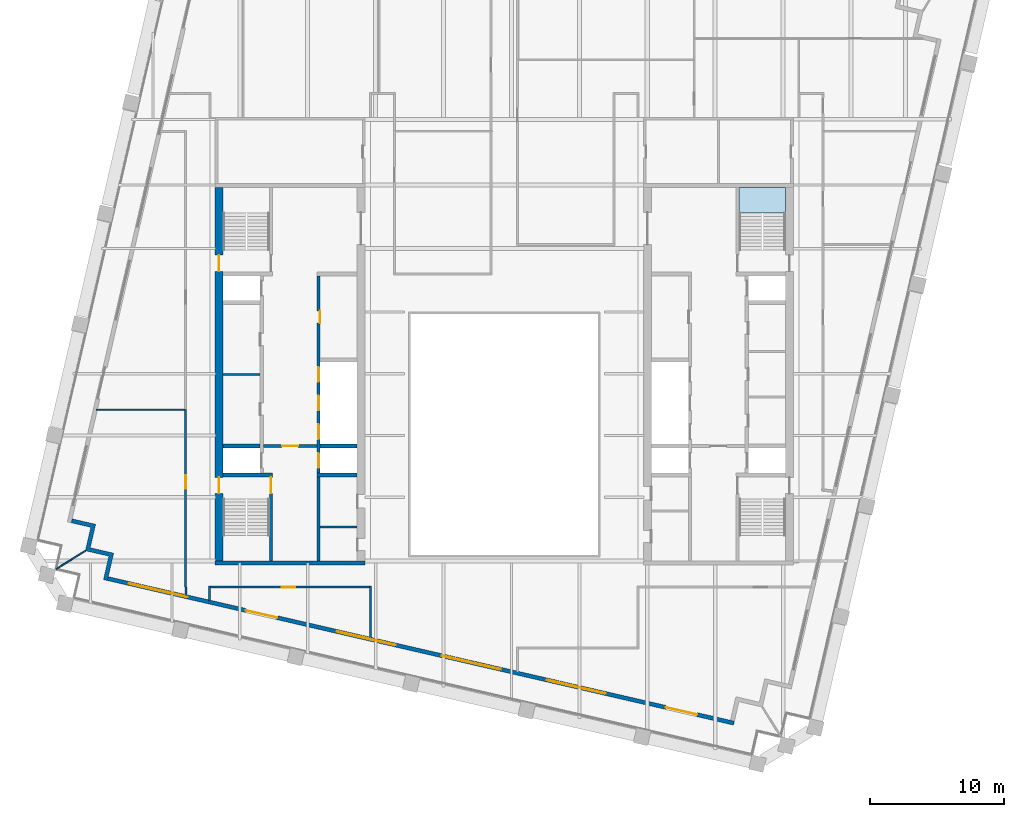
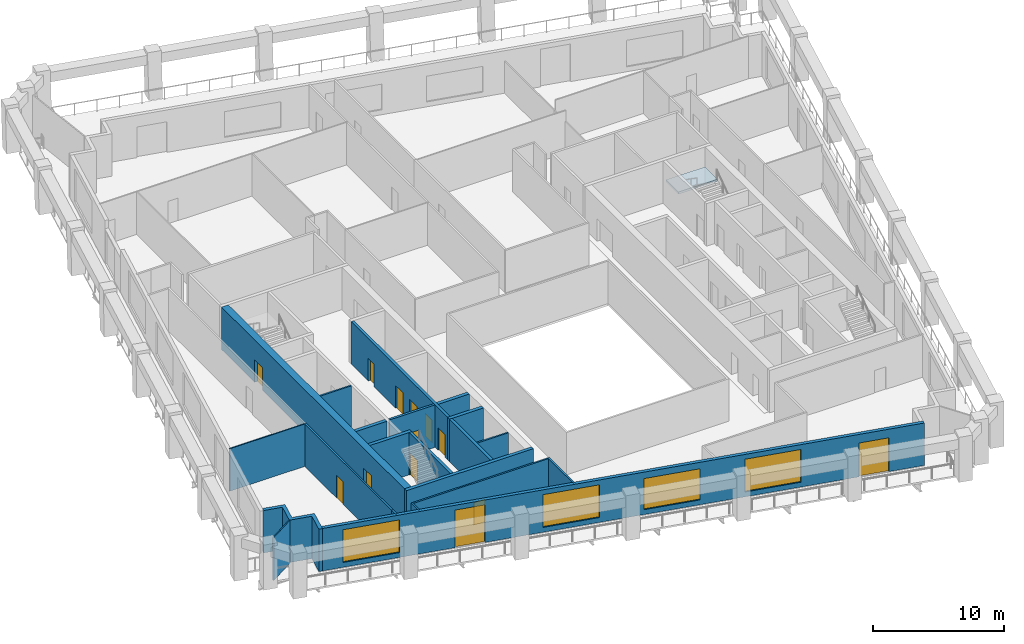
# One storey, part 3 of 10: 20 walls, 13 doors, 4 windows, 1 slab, 17 openings, 1 element without a shape of its own.
"""IFC4 building model written with IfcOpenShell, lengths in metres."""

from ifc_helpers import new_model, si_unit, direction, frame, frame_2d, origin, place, context, subcontext, project, spatial, polyline, rectangle, outline, extrude, material, layer, layer_set, type_object, element, fill, aggregate, save


model = new_model("IFC4")

# Units and contexts
model_context = context("Model", 3, precision=1e-05, world=origin(), true_north=direction((0.0, 1.0)))
body_context = subcontext(model_context, "Body", "Model", "MODEL_VIEW")
ifc_project = project(units=[si_unit("LENGTHUNIT", "METRE"), si_unit("AREAUNIT", "SQUARE_METRE"), si_unit("VOLUMEUNIT", "CUBIC_METRE"), si_unit("PLANEANGLEUNIT", "RADIAN"), si_unit("MASSUNIT", "GRAM", prefix="KILO")], contexts=[model_context])

# Site, building, storey
site_placement = place(None, origin())
site = spatial("IfcSite", under=ifc_project, at=site_placement, CompositionType="ELEMENT")
building_placement = place(site_placement, origin())
building = spatial("IfcBuilding", under=site, at=building_placement, Name="Ogive Exchange Tower", CompositionType="ELEMENT")
storey_placement = place(building_placement, frame((0.0, 0.0, 289.199951171875)))
storey = spatial("IfcBuildingStorey", under=building, at=storey_placement, Name="L63", CompositionType="ELEMENT", Elevation=289.199951171875)

# Stair, slab
ifc_material_1 = material(Name="Concrete C40/50", Category="concrete")
stair_type = type_object("IfcStairType", Name="Exit stair 1650 wide", PredefinedType="HALF_TURN_STAIR", material=ifc_material_1)
stair_placement = place(storey_placement, origin())
stair = element("IfcStair", 1, at=stair_placement, inside=storey, type_object=stair_type, Name="L63 exit stair ST4", PredefinedType="HALF_TURN_STAIR")
ifc_layer_1 = layer(ifc_material_1, 0.199951171875)
ifc_layer_set_1 = layer_set([ifc_layer_1], Name="Stair landing 200 slab")
slab_type = type_object("IfcSlabType", Name="Stair landing 200 slab", PredefinedType="LANDING", material=ifc_layer_set_1)
slab_placement = place(storey_placement, frame((0.0, 0.0, 1.900146484375)))
slab = element("IfcSlab", 2, at=slab_placement, type_object=slab_type, Name="ST4 landing 1", PredefinedType="LANDING", context=body_context, shape_type="SweptSolid", body=[
    extrude(outline(polyline([(21.0, 23.550048828125), (21.0, 25.449951171875), (17.550048828125, 25.449951171875), (17.550048828125, 23.550048828125), (21.0, 23.550048828125)])), origin(), (0.0, 0.0, 1.0), 0.199951171875),
])
aggregate(stair, [slab])

# Walls
ifc_material_2 = material(Name="Gypsum board partition")
ifc_layer_2 = layer(ifc_material_2, 0.14990234375)
ifc_layer_set_2 = layer_set([ifc_layer_2], Name="Core room partition 150 gypsum")
wall_type_1 = type_object("IfcWallType", Name="Core room partition 150 gypsum", PredefinedType="PARTITIONING", material=ifc_layer_set_2)
for number, where, z_axis, x_axis, name in (
    (3, (-21.0, 11.5, 0.0), (0.0, 0.0, 1.0), (1.0, 0.0, 0.0), "W row A bay partition 1-1"),
    (4, (-13.75, 0.10009765625, 0.0), (0.0, 0.0, 1.0), (1.0, 0.0, 0.0), "W south room partition"),
):
    element("IfcWall", number, at=place(storey_placement, frame(where, z_axis=z_axis, x_axis=x_axis)), inside=storey, type_object=wall_type_1, Name=name, PredefinedType="PARTITIONING", context=body_context, shape_type="SweptSolid", body=[
        extrude(rectangle(XDim=2.75, YDim=0.14990234375, at=frame_2d((1.375, 0.0))), origin(), (0.0, 0.0, 1.0), 3.949951171875),
    ])

# Wall, opening, door
ifc_material_3 = material(Name="Fire partition EI 60 150")
ifc_layer_3 = layer(ifc_material_3, 0.14990234375)
ifc_layer_set_3 = layer_set([ifc_layer_3], Name="Fire partition EI 60 150")
wall_type_2 = type_object("IfcWallType", Name="Fire partition EI 60 150", PredefinedType="PARTITIONING", material=ifc_layer_set_3)
wall_1_placement = place(storey_placement, frame((-23.800048828125, -4.39990234375, 0.0), z_axis=(0.0, 0.0, 1.0), x_axis=(0.0, 1.0, 0.0)))
wall_1 = element("IfcWall", 5, at=wall_1_placement, inside=storey, type_object=wall_type_2, Name="L63-PWL-002", PredefinedType="PARTITIONING", context=body_context, shape_type="SweptSolid", body=[
    extrude(rectangle(XDim=13.260009765625, YDim=0.14990234375, at=frame_2d((6.6298828125, 0.0))), origin(), (0.0, 0.0, 1.0), 3.949951171875),
])
opening_1_placement = place(wall_1_placement, frame((7.360107421875, 0.0, 0.0)))
opening_1 = element("IfcOpeningElement", 6, at=opening_1_placement, cuts=wall_1, Name="Opening L63-I16", PredefinedType="OPENING", context=body_context, shape_type="SweptSolid", body=[
    extrude(rectangle(XDim=1.0, YDim=2.10009765625, at=frame_2d((0.5, 1.050048828125))), frame((0.0, 0.0849609375, 0.0), z_axis=(0.0, -1.0, 0.0), x_axis=(1.0, 0.0, 0.0)), (0.0, 0.0, 1.0), 0.169921875),
])
ifc_material_4 = material(Name="Fire door FD 30S 1000 x 2100")
door_type_1 = type_object("IfcDoorType", Name="Fire door FD 30S 1000 x 2100", OperationType="NOTDEFINED", PredefinedType="DOOR", material=ifc_material_4)
door_1_placement = place(opening_1_placement, origin())
door_1 = element("IfcDoor", 7, at=door_1_placement, inside=storey, type_object=door_type_1, Name="L63-IDR-016", ObjectType="DT3", OperationType="SINGLE_SWING_RIGHT", OverallHeight=2.10009765625, OverallWidth=1.0, PredefinedType="DOOR", context=body_context, shape_type="SweptSolid", body=[
    extrude(rectangle(XDim=1.0, YDim=2.10009765625, at=frame_2d((0.5, 1.050048828125))), frame((0.0, 0.02490234375, 0.0), z_axis=(0.0, -1.0, 0.0), x_axis=(1.0, 0.0, 0.0)), (0.0, 0.0, 1.0), 0.050048828125),
])
fill(opening_1, door_1)

# Walls
wall_2_placement = place(storey_placement, frame((-23.7900390625, -5.031982421875, 0.0), z_axis=(0.0, 0.0, 1.0), x_axis=(0.0, 1.0, 0.0)))
element("IfcWall", 8, at=wall_2_placement, inside=storey, type_object=wall_type_2, Name="L63-PWL-007", PredefinedType="PARTITIONING", context=body_context, shape_type="SweptSolid", body=[
    extrude(rectangle(XDim=0.632080078125, YDim=0.14990234375, at=frame_2d((0.31591796875, 0.0))), origin(), (0.0, 0.0, 1.0), 3.949951171875),
])
wall_3_placement = place(storey_placement, frame((-22.030029296875, -4.324951171875, 0.0), z_axis=(0.0, 0.0, 1.0), x_axis=(0.0, -1.0, 0.0)))
element("IfcWall", 9, at=wall_3_placement, inside=storey, type_object=wall_type_2, Name="L63-PWL-009", PredefinedType="PARTITIONING", context=body_context, shape_type="SweptSolid", body=[
    extrude(rectangle(XDim=1.113037109375, YDim=0.14990234375, at=frame_2d((0.556640625, 0.0))), origin(), (0.0, 0.0, 1.0), 3.949951171875),
])
wall_4_placement = place(storey_placement, frame((-10.0, -8.216064453125, 0.0), z_axis=(0.0, 0.0, 1.0), x_axis=(0.0, 1.0, 0.0)))
element("IfcWall", 10, at=wall_4_placement, inside=storey, type_object=wall_type_2, Name="L63-PWL-013", PredefinedType="PARTITIONING", context=body_context, shape_type="SweptSolid", body=[
    extrude(rectangle(XDim=3.89111328125, YDim=0.14990234375, at=frame_2d((1.945556640625, 0.0))), origin(), (0.0, 0.0, 1.0), 3.949951171875),
])

# Wall, opening, door
wall_5_placement = place(storey_placement, frame((-10.074951171875, -4.39990234375, 0.0), z_axis=(0.0, 0.0, 1.0), x_axis=(-1.0, 0.0, 0.0)))
wall_5 = element("IfcWall", 11, at=wall_5_placement, inside=storey, type_object=wall_type_2, Name="L63-PWL-014", PredefinedType="PARTITIONING", context=body_context, shape_type="SweptSolid", body=[
    extrude(rectangle(XDim=11.880126953125, YDim=0.14990234375, at=frame_2d((5.93994140625, 0.0))), origin(), (0.0, 0.0, 1.0), 3.949951171875),
])
opening_2_placement = place(wall_5_placement, frame((5.554931640625, 0.0, 0.0)))
opening_2 = element("IfcOpeningElement", 12, at=opening_2_placement, cuts=wall_5, Name="Opening L63-I15", PredefinedType="OPENING", context=body_context, shape_type="SweptSolid", body=[
    extrude(rectangle(XDim=1.0, YDim=2.10009765625, at=frame_2d((0.5, 1.050048828125))), frame((0.0, 0.0849609375, 0.0), z_axis=(0.0, -1.0, 0.0), x_axis=(1.0, 0.0, 0.0)), (0.0, 0.0, 1.0), 0.169921875),
])
door_2_placement = place(opening_2_placement, origin())
door_2 = element("IfcDoor", 13, at=door_2_placement, inside=storey, type_object=door_type_1, Name="L63-IDR-015", ObjectType="DT3", OperationType="SINGLE_SWING_RIGHT", OverallHeight=2.10009765625, OverallWidth=1.0, PredefinedType="DOOR", context=body_context, shape_type="SweptSolid", body=[
    extrude(rectangle(XDim=1.0, YDim=2.10009765625, at=frame_2d((0.5, 1.050048828125))), frame((0.0, 0.02490234375, 0.0), z_axis=(0.0, -1.0, 0.0), x_axis=(1.0, 0.0, 0.0)), (0.0, 0.0, 1.0), 0.050048828125),
])
fill(opening_2, door_2)

# Wall, openings, doors, windows
ifc_material_5 = material(Name="Precast concrete C40/50", Category="concrete")
ifc_layer_4 = layer(ifc_material_5, 0.300048828125)
ifc_layer_set_4 = layer_set([ifc_layer_4], Name="Limestone-faced wall 300")
wall_type_3 = type_object("IfcWallType", Name="Limestone-faced wall 300", PredefinedType="STANDARD", material=ifc_layer_set_4)
wall_6_placement = place(storey_placement, frame((-29.6162109375, -3.75830078125, 0.0), z_axis=(0.0, 0.0, 1.0), x_axis=(0.974370532314, -0.224949029246, 0.0)))
wall_6 = element("IfcWall", 14, at=wall_6_placement, inside=storey, type_object=wall_type_3, Name="External wall S1", PredefinedType="STANDARD", context=body_context, shape_type="SweptSolid", body=[
    extrude(rectangle(XDim=48.000244140625, YDim=0.300048828125, at=frame_2d((24.0, 0.0))), origin(), (0.0, 0.0, 1.0), 3.949951171875),
])
opening_3_placement = place(wall_6_placement, frame((1.625, 0.0, 0.449951171875)))
opening_3 = element("IfcOpeningElement", 15, at=opening_3_placement, cuts=wall_6, Name="Opening W1", PredefinedType="OPENING", context=body_context, shape_type="SweptSolid", body=[
    extrude(rectangle(XDim=4.5, YDim=3.050048828125, at=frame_2d((2.25, 1.52490234375))), frame((0.0, 0.159912109375, 0.0), z_axis=(0.0, -1.0, 0.0), x_axis=(1.0, 0.0, 0.0)), (0.0, 0.0, 1.0), 0.320068359375),
])
opening_4_placement = place(wall_6_placement, frame((10.574951171875, 0.0, 0.0)))
opening_4 = element("IfcOpeningElement", 16, at=opening_4_placement, cuts=wall_6, Name="Opening D1", PredefinedType="OPENING", context=body_context, shape_type="SweptSolid", body=[
    extrude(rectangle(XDim=2.39990234375, YDim=3.5, at=frame_2d((1.199951171875, 1.75))), frame((0.0, 0.159912109375, 0.0), z_axis=(0.0, -1.0, 0.0), x_axis=(1.0, 0.0, 0.0)), (0.0, 0.0, 1.0), 0.320068359375),
])
opening_5_placement = place(wall_6_placement, frame((17.574951171875, 0.0, 0.449951171875)))
opening_5 = element("IfcOpeningElement", 17, at=opening_5_placement, cuts=wall_6, Name="Opening W1", PredefinedType="OPENING", context=body_context, shape_type="SweptSolid", body=[
    extrude(rectangle(XDim=4.5, YDim=3.050048828125, at=frame_2d((2.25, 1.52490234375))), frame((0.0, 0.159912109375, 0.0), z_axis=(0.0, -1.0, 0.0), x_axis=(1.0, 0.0, 0.0)), (0.0, 0.0, 1.0), 0.320068359375),
])
opening_6_placement = place(wall_6_placement, frame((25.625, 0.0, 0.449951171875)))
opening_6 = element("IfcOpeningElement", 18, at=opening_6_placement, cuts=wall_6, Name="Opening W1C", PredefinedType="OPENING", context=body_context, shape_type="SweptSolid", body=[
    extrude(rectangle(XDim=4.5, YDim=2.89990234375, at=frame_2d((2.25, 1.449951171875))), frame((0.0, 0.159912109375, 0.0), z_axis=(0.0, -1.0, 0.0), x_axis=(1.0, 0.0, 0.0)), (0.0, 0.0, 1.0), 0.320068359375),
])
opening_7_placement = place(wall_6_placement, frame((33.675048828125, 0.0, 0.449951171875)))
opening_7 = element("IfcOpeningElement", 19, at=opening_7_placement, cuts=wall_6, Name="Opening W1", PredefinedType="OPENING", context=body_context, shape_type="SweptSolid", body=[
    extrude(rectangle(XDim=4.5, YDim=3.050048828125, at=frame_2d((2.25, 1.52490234375))), frame((0.0, 0.159912109375, 0.0), z_axis=(0.0, -1.0, 0.0), x_axis=(1.0, 0.0, 0.0)), (0.0, 0.0, 1.0), 0.320068359375),
])
opening_8_placement = place(wall_6_placement, frame((42.77490234375, 0.0, 0.0)))
opening_8 = element("IfcOpeningElement", 20, at=opening_8_placement, cuts=wall_6, Name="Opening D1I", PredefinedType="OPENING", context=body_context, shape_type="SweptSolid", body=[
    extrude(rectangle(XDim=2.39990234375, YDim=3.14990234375, at=frame_2d((1.199951171875, 1.574951171875))), frame((0.0, 0.159912109375, 0.0), z_axis=(0.0, -1.0, 0.0), x_axis=(1.0, 0.0, 0.0)), (0.0, 0.0, 1.0), 0.320068359375),
])
ifc_material_6 = material(Name="Clear glass in bronze frame", Category="glass")
door_type_2 = type_object("IfcDoorType", Name="Sliding loggia door 2400 x 3150", OperationType="DOUBLE_DOOR_SLIDING", PredefinedType="DOOR", material=ifc_material_6)
door_3_placement = place(opening_8_placement, origin())
door_3 = element("IfcDoor", 21, at=door_3_placement, inside=storey, type_object=door_type_2, Name="Loggia door S05", OperationType="DOUBLE_DOOR_SLIDING", OverallHeight=3.14990234375, OverallWidth=2.39990234375, PredefinedType="DOOR", context=body_context, shape_type="SweptSolid", body=[
    extrude(rectangle(XDim=2.39990234375, YDim=3.14990234375, at=frame_2d((1.199951171875, 1.574951171875))), frame((0.0, 0.02490234375, 0.0), z_axis=(0.0, -1.0, 0.0), x_axis=(1.0, 0.0, 0.0)), (0.0, 0.0, 1.0), 0.050048828125),
])
fill(opening_8, door_3)
door_type_3 = type_object("IfcDoorType", Name="Sliding loggia door 2400 x 3500", OperationType="DOUBLE_DOOR_SLIDING", PredefinedType="DOOR", material=ifc_material_6)
door_4_placement = place(opening_4_placement, origin())
door_4 = element("IfcDoor", 22, at=door_4_placement, inside=storey, type_object=door_type_3, Name="Loggia door S01", OperationType="DOUBLE_DOOR_SLIDING", OverallHeight=3.5, OverallWidth=2.39990234375, PredefinedType="DOOR", context=body_context, shape_type="SweptSolid", body=[
    extrude(rectangle(XDim=2.39990234375, YDim=3.5, at=frame_2d((1.199951171875, 1.75))), frame((0.0, 0.02490234375, 0.0), z_axis=(0.0, -1.0, 0.0), x_axis=(1.0, 0.0, 0.0)), (0.0, 0.0, 1.0), 0.050048828125),
])
fill(opening_4, door_4)
window_type_1 = type_object("IfcWindowType", Name="Twin lancet window 4500 x 2900", PartitioningType="DOUBLE_PANEL_VERTICAL", PredefinedType="WINDOW", material=ifc_material_6)
window_1_placement = place(opening_6_placement, origin())
window_1 = element("IfcWindow", 23, at=window_1_placement, inside=storey, type_object=window_type_1, Name="Window S03", OverallHeight=2.89990234375, OverallWidth=4.5, PartitioningType="DOUBLE_PANEL_VERTICAL", PredefinedType="WINDOW", context=body_context, shape_type="SweptSolid", body=[
    extrude(rectangle(XDim=4.5, YDim=2.89990234375, at=frame_2d((2.25, 1.449951171875))), frame((0.0, 0.030029296875, 0.0), z_axis=(0.0, -1.0, 0.0), x_axis=(1.0, 0.0, 0.0)), (0.0, 0.0, 1.0), 0.06005859375),
])
fill(opening_6, window_1)
window_type_2 = type_object("IfcWindowType", Name="Twin lancet window 4500 x 3050", PartitioningType="DOUBLE_PANEL_VERTICAL", PredefinedType="WINDOW", material=ifc_material_6)
window_2_placement = place(opening_3_placement, origin())
window_2 = element("IfcWindow", 24, at=window_2_placement, inside=storey, type_object=window_type_2, Name="Window S00", OverallHeight=3.050048828125, OverallWidth=4.5, PartitioningType="DOUBLE_PANEL_VERTICAL", PredefinedType="WINDOW", context=body_context, shape_type="SweptSolid", body=[
    extrude(rectangle(XDim=4.5, YDim=3.050048828125, at=frame_2d((2.25, 1.52490234375))), frame((0.0, 0.030029296875, 0.0), z_axis=(0.0, -1.0, 0.0), x_axis=(1.0, 0.0, 0.0)), (0.0, 0.0, 1.0), 0.06005859375),
])
fill(opening_3, window_2)
window_3_placement = place(opening_5_placement, origin())
window_3 = element("IfcWindow", 25, at=window_3_placement, inside=storey, type_object=window_type_2, Name="Window S02", OverallHeight=3.050048828125, OverallWidth=4.5, PartitioningType="DOUBLE_PANEL_VERTICAL", PredefinedType="WINDOW", context=body_context, shape_type="SweptSolid", body=[
    extrude(rectangle(XDim=4.5, YDim=3.050048828125, at=frame_2d((2.25, 1.52490234375))), frame((0.0, 0.030029296875, 0.0), z_axis=(0.0, -1.0, 0.0), x_axis=(1.0, 0.0, 0.0)), (0.0, 0.0, 1.0), 0.06005859375),
])
fill(opening_5, window_3)
window_4_placement = place(opening_7_placement, origin())
window_4 = element("IfcWindow", 26, at=window_4_placement, inside=storey, type_object=window_type_2, Name="Window S04", OverallHeight=3.050048828125, OverallWidth=4.5, PartitioningType="DOUBLE_PANEL_VERTICAL", PredefinedType="WINDOW", context=body_context, shape_type="SweptSolid", body=[
    extrude(rectangle(XDim=4.5, YDim=3.050048828125, at=frame_2d((2.25, 1.52490234375))), frame((0.0, 0.030029296875, 0.0), z_axis=(0.0, -1.0, 0.0), x_axis=(1.0, 0.0, 0.0)), (0.0, 0.0, 1.0), 0.06005859375),
])
fill(opening_7, window_4)

# Walls
wall_7_placement = place(storey_placement, origin())
element("IfcWall", 27, at=wall_7_placement, inside=storey, type_object=wall_type_3, Name="External corner wall C4", PredefinedType="STANDARD", context=body_context, shape_type="SweptSolid", body=[
    extrude(outline(polyline([(-31.291015625, -1.67822265625), (-30.88623046875, 0.07568359375), (-32.34765625, 0.4130859375), (-32.2802734375, 0.705322265625), (-30.5263671875, 0.300537109375), (-30.931396484375, -1.453369140625), (-29.177490234375, -1.8583984375), (-29.64990234375, -3.904541015625), (-29.942138671875, -3.8369140625), (-29.537109375, -2.0830078125), (-31.291015625, -1.67822265625)])), origin(), (0.0, 0.0, 1.0), 3.949951171875),
])
ifc_material_7 = material(Name="Laminated safety glass in steel frame", Category="steel")
ifc_layer_5 = layer(ifc_material_7, 0.10009765625)
ifc_layer_set_5 = layer_set([ifc_layer_5], Name="Loggia end screen 100")
wall_type_4 = type_object("IfcWallType", Name="Loggia end screen 100", PredefinedType="STANDARD", material=ifc_layer_set_5)
wall_8_placement = place(storey_placement, frame((-31.291015625, -1.67822265625, -0.050048828125), z_axis=(0.0, 0.0, 1.0), x_axis=(-0.84807753525, -0.529872148923, 0.0)))
element("IfcWall", 28, at=wall_8_placement, inside=storey, type_object=wall_type_4, Name="Loggia end screen C4", PredefinedType="STANDARD", context=body_context, shape_type="SweptSolid", body=[
    extrude(rectangle(XDim=2.596435546875, YDim=0.10009765625, at=frame_2d((1.29833984375, 0.0))), origin(), (0.0, 0.0, 1.0), 4.0),
])
ifc_material_8 = material(Name="Partition 100 gypsum")
ifc_layer_6 = layer(ifc_material_8, 0.10009765625)
ifc_layer_set_6 = layer_set([ifc_layer_6], Name="Partition 100 gypsum")
wall_type_5 = type_object("IfcWallType", Name="Partition 100 gypsum", PredefinedType="PARTITIONING", material=ifc_layer_set_6)
wall_9_placement = place(storey_placement, frame((-23.875, 8.860107421875, 0.0), z_axis=(0.0, 0.0, 1.0), x_axis=(-1.0, 0.0, 0.0)))
element("IfcWall", 29, at=wall_9_placement, inside=storey, type_object=wall_type_5, Name="L63-PWL-003", PredefinedType="PARTITIONING", context=body_context, shape_type="SweptSolid", body=[
    extrude(rectangle(XDim=6.60498046875, YDim=0.10009765625, at=frame_2d((3.302490234375, 0.0))), origin(), (0.0, 0.0, 1.0), 3.949951171875),
])

# Wall, opening, door
ifc_material_9 = material(Name="Concrete C70/85", Category="concrete")
ifc_layer_7 = layer(ifc_material_9, 0.199951171875)
ifc_layer_set_7 = layer_set([ifc_layer_7], Name="RC core wall 200 C70/85")
wall_type_6 = type_object("IfcWallType", Name="RC core wall 200 C70/85", PredefinedType="SHEAR", material=ifc_layer_set_7)
wall_10_placement = place(storey_placement, frame((-18.0, 6.142822265625, 0.0), z_axis=(0.0, 0.0, 1.0), x_axis=(1.0, 0.0, 0.0)))
wall_10 = element("IfcWall", 30, at=wall_10_placement, inside=storey, type_object=wall_type_6, Name="W firefighting lobby wall", PredefinedType="SHEAR", context=body_context, shape_type="SweptSolid", body=[
    extrude(rectangle(XDim=4.0, YDim=0.199951171875, at=frame_2d((2.0, 0.0))), origin(), (0.0, 0.0, 1.0), 3.949951171875),
])
opening_9_placement = place(wall_10_placement, frame((1.39990234375, 0.0, 0.0)))
opening_9 = element("IfcOpeningElement", 31, at=opening_9_placement, cuts=wall_10, Name="Opening L63-C10", PredefinedType="OPENING", context=body_context, shape_type="SweptSolid", body=[
    extrude(rectangle(XDim=1.199951171875, YDim=2.10009765625, at=frame_2d((0.60009765625, 1.050048828125))), frame((0.0, 0.10986328125, 0.0), z_axis=(0.0, -1.0, 0.0), x_axis=(1.0, 0.0, 0.0)), (0.0, 0.0, 1.0), 0.219970703125),
])
ifc_material_10 = material(Name="Steel fire door", Category="steel")
door_type_4 = type_object("IfcDoorType", Name="Firefighting lobby door FD60 1200 x 2100", OperationType="NOTDEFINED", PredefinedType="DOOR", material=ifc_material_10)
door_5_placement = place(opening_9_placement, frame((1.199951171875, 0.0, 0.0), z_axis=(0.0, 0.0, 1.0), x_axis=(-1.0, 0.0, 0.0)))
door_5 = element("IfcDoor", 32, at=door_5_placement, inside=storey, type_object=door_type_4, Name="Firefighting lobby door", ObjectType="CD3", OperationType="SINGLE_SWING_RIGHT", OverallHeight=2.10009765625, OverallWidth=1.199951171875, PredefinedType="DOOR", context=body_context, shape_type="SweptSolid", body=[
    extrude(rectangle(XDim=1.199951171875, YDim=2.10009765625, at=frame_2d((0.60009765625, 1.050048828125))), frame((0.0, 0.02490234375, 0.0), z_axis=(0.0, -1.0, 0.0), x_axis=(1.0, 0.0, 0.0)), (0.0, 0.0, 1.0), 0.050048828125),
])
fill(opening_9, door_5)

ifc_layer_8 = layer(ifc_material_9, 0.25)
ifc_layer_set_8 = layer_set([ifc_layer_8], Name="RC core wall 250 C70/85")
wall_type_7 = type_object("IfcWallType", Name="RC core wall 250 C70/85", PredefinedType="SHEAR", material=ifc_layer_set_8)
wall_11_placement = place(storey_placement, frame((-17.425048828125, -2.449951171875, 0.0), z_axis=(0.0, 0.0, 1.0), x_axis=(0.0, 1.0, 0.0)))
wall_11 = element("IfcWall", 33, at=wall_11_placement, inside=storey, type_object=wall_type_7, Name="W stair S front wall", PredefinedType="SHEAR", context=body_context, shape_type="SweptSolid", body=[
    extrude(rectangle(XDim=6.300048828125, YDim=0.25, at=frame_2d((3.14990234375, 0.0))), origin(), (0.0, 0.0, 1.0), 3.949951171875),
])
opening_10_placement = place(wall_11_placement, frame((5.050048828125, 0.0, 0.0)))
opening_10 = element("IfcOpeningElement", 34, at=opening_10_placement, cuts=wall_11, Name="Opening L63-C12", PredefinedType="OPENING", context=body_context, shape_type="SweptSolid", body=[
    extrude(rectangle(XDim=1.199951171875, YDim=2.10009765625, at=frame_2d((0.60009765625, 1.050048828125))), frame((0.0, 0.135009765625, 0.0), z_axis=(0.0, -1.0, 0.0), x_axis=(1.0, 0.0, 0.0)), (0.0, 0.0, 1.0), 0.27001953125),
])
door_type_5 = type_object("IfcDoorType", Name="Stair door FD90 1200 x 2100", OperationType="NOTDEFINED", PredefinedType="DOOR", material=ifc_material_10)
door_6_placement = place(opening_10_placement, origin())
door_6 = element("IfcDoor", 35, at=door_6_placement, inside=storey, type_object=door_type_5, Name="Stair door", ObjectType="CD5", OperationType="SINGLE_SWING_LEFT", OverallHeight=2.10009765625, OverallWidth=1.199951171875, PredefinedType="DOOR", context=body_context, shape_type="SweptSolid", body=[
    extrude(rectangle(XDim=1.199951171875, YDim=2.10009765625, at=frame_2d((0.60009765625, 1.050048828125))), frame((0.0, 0.02490234375, 0.0), z_axis=(0.0, -1.0, 0.0), x_axis=(1.0, 0.0, 0.0)), (0.0, 0.0, 1.0), 0.050048828125),
])
fill(opening_10, door_6)

# Wall, openings, doors
wall_12_placement = place(storey_placement, frame((-13.875, -2.449951171875, 0.0), z_axis=(0.0, 0.0, 1.0), x_axis=(0.0, 1.0, 0.0)))
wall_12 = element("IfcWall", 36, at=wall_12_placement, inside=storey, type_object=wall_type_7, Name="W row B front wall", PredefinedType="SHEAR", context=body_context, shape_type="SweptSolid", body=[
    extrude(rectangle(XDim=21.300048828125, YDim=0.25, at=frame_2d((10.64990234375, 0.0))), origin(), (0.0, 0.0, 1.0), 3.949951171875),
])
opening_11_placement = place(wall_12_placement, frame((17.78564453125, 0.0, 0.0)))
opening_11 = element("IfcOpeningElement", 37, at=opening_11_placement, cuts=wall_12, Name="Opening L63-C05", PredefinedType="OPENING", context=body_context, shape_type="SweptSolid", body=[
    extrude(rectangle(XDim=0.89990234375, YDim=2.10009765625, at=frame_2d((0.449951171875, 1.050048828125))), frame((0.0, 0.135009765625, 0.0), z_axis=(0.0, -1.0, 0.0), x_axis=(1.0, 0.0, 0.0)), (0.0, 0.0, 1.0), 0.27001953125),
])
opening_12_placement = place(wall_12_placement, frame((6.971435546875, 0.0, 0.0)))
opening_12 = element("IfcOpeningElement", 38, at=opening_12_placement, cuts=wall_12, Name="Opening L63-C06", PredefinedType="OPENING", context=body_context, shape_type="SweptSolid", body=[
    extrude(rectangle(XDim=1.10009765625, YDim=2.10009765625, at=frame_2d((0.550048828125, 1.050048828125))), frame((0.0, 0.135009765625, 0.0), z_axis=(0.0, -1.0, 0.0), x_axis=(1.0, 0.0, 0.0)), (0.0, 0.0, 1.0), 0.27001953125),
])
opening_13_placement = place(wall_12_placement, frame((9.1142578125, 0.0, 0.0)))
opening_13 = element("IfcOpeningElement", 39, at=opening_13_placement, cuts=wall_12, Name="Opening L63-C07", PredefinedType="OPENING", context=body_context, shape_type="SweptSolid", body=[
    extrude(rectangle(XDim=1.10009765625, YDim=2.10009765625, at=frame_2d((0.550048828125, 1.050048828125))), frame((0.0, 0.135009765625, 0.0), z_axis=(0.0, -1.0, 0.0), x_axis=(1.0, 0.0, 0.0)), (0.0, 0.0, 1.0), 0.27001953125),
])
opening_14_placement = place(wall_12_placement, frame((11.257080078125, 0.0, 0.0)))
opening_14 = element("IfcOpeningElement", 40, at=opening_14_placement, cuts=wall_12, Name="Opening L63-C08", PredefinedType="OPENING", context=body_context, shape_type="SweptSolid", body=[
    extrude(rectangle(XDim=1.10009765625, YDim=2.10009765625, at=frame_2d((0.550048828125, 1.050048828125))), frame((0.0, 0.135009765625, 0.0), z_axis=(0.0, -1.0, 0.0), x_axis=(1.0, 0.0, 0.0)), (0.0, 0.0, 1.0), 0.27001953125),
])
opening_15_placement = place(wall_12_placement, frame((13.39990234375, 0.0, 0.0)))
opening_15 = element("IfcOpeningElement", 41, at=opening_15_placement, cuts=wall_12, Name="Opening L63-C09", PredefinedType="OPENING", context=body_context, shape_type="SweptSolid", body=[
    extrude(rectangle(XDim=1.10009765625, YDim=2.10009765625, at=frame_2d((0.550048828125, 1.050048828125))), frame((0.0, 0.135009765625, 0.0), z_axis=(0.0, -1.0, 0.0), x_axis=(1.0, 0.0, 0.0)), (0.0, 0.0, 1.0), 0.27001953125),
])
ifc_material_11 = material(Name="Stainless steel", Category="steel")
door_type_6 = type_object("IfcDoorType", Name="Lift landing door FD90 1100 x 2100", OperationType="SLIDING_TO_LEFT", PredefinedType="DOOR", material=ifc_material_11)
door_7_placement = place(opening_12_placement, origin())
door_7 = element("IfcDoor", 42, at=door_7_placement, inside=storey, type_object=door_type_6, Name="Lift landing door SV1", ObjectType="LD", OperationType="SLIDING_TO_LEFT", OverallHeight=2.10009765625, OverallWidth=1.10009765625, PredefinedType="DOOR", context=body_context, shape_type="SweptSolid", body=[
    extrude(rectangle(XDim=1.10009765625, YDim=2.10009765625, at=frame_2d((0.550048828125, 1.050048828125))), frame((0.0, 0.02490234375, 0.0), z_axis=(0.0, -1.0, 0.0), x_axis=(1.0, 0.0, 0.0)), (0.0, 0.0, 1.0), 0.050048828125),
])
fill(opening_12, door_7)
door_8_placement = place(opening_13_placement, origin())
door_8 = element("IfcDoor", 43, at=door_8_placement, inside=storey, type_object=door_type_6, Name="Lift landing door W-M1", ObjectType="LD", OperationType="SLIDING_TO_LEFT", OverallHeight=2.10009765625, OverallWidth=1.10009765625, PredefinedType="DOOR", context=body_context, shape_type="SweptSolid", body=[
    extrude(rectangle(XDim=1.10009765625, YDim=2.10009765625, at=frame_2d((0.550048828125, 1.050048828125))), frame((0.0, 0.02490234375, 0.0), z_axis=(0.0, -1.0, 0.0), x_axis=(1.0, 0.0, 0.0)), (0.0, 0.0, 1.0), 0.050048828125),
])
fill(opening_13, door_8)
door_9_placement = place(opening_14_placement, origin())
door_9 = element("IfcDoor", 44, at=door_9_placement, inside=storey, type_object=door_type_6, Name="Lift landing door W-M2", ObjectType="LD", OperationType="SLIDING_TO_LEFT", OverallHeight=2.10009765625, OverallWidth=1.10009765625, PredefinedType="DOOR", context=body_context, shape_type="SweptSolid", body=[
    extrude(rectangle(XDim=1.10009765625, YDim=2.10009765625, at=frame_2d((0.550048828125, 1.050048828125))), frame((0.0, 0.02490234375, 0.0), z_axis=(0.0, -1.0, 0.0), x_axis=(1.0, 0.0, 0.0)), (0.0, 0.0, 1.0), 0.050048828125),
])
fill(opening_14, door_9)
door_10_placement = place(opening_15_placement, origin())
door_10 = element("IfcDoor", 45, at=door_10_placement, inside=storey, type_object=door_type_6, Name="Lift landing door W-M3", ObjectType="LD", OperationType="SLIDING_TO_LEFT", OverallHeight=2.10009765625, OverallWidth=1.10009765625, PredefinedType="DOOR", context=body_context, shape_type="SweptSolid", body=[
    extrude(rectangle(XDim=1.10009765625, YDim=2.10009765625, at=frame_2d((0.550048828125, 1.050048828125))), frame((0.0, 0.02490234375, 0.0), z_axis=(0.0, -1.0, 0.0), x_axis=(1.0, 0.0, 0.0)), (0.0, 0.0, 1.0), 0.050048828125),
])
fill(opening_15, door_10)
door_type_7 = type_object("IfcDoorType", Name="Riser door FD60 900 x 2100", OperationType="NOTDEFINED", PredefinedType="DOOR", material=ifc_material_10)
door_11_placement = place(opening_11_placement, frame((0.89990234375, -0.2001953125, 0.0), z_axis=(0.0, 0.0, 1.0), x_axis=(-1.0, 0.0, 0.0)))
door_11 = element("IfcDoor", 46, at=door_11_placement, inside=storey, type_object=door_type_7, Name="Riser door", ObjectType="CD2", OperationType="SINGLE_SWING_RIGHT", OverallHeight=2.10009765625, OverallWidth=0.89990234375, PredefinedType="DOOR", context=body_context, shape_type="SweptSolid", body=[
    extrude(rectangle(XDim=0.89990234375, YDim=2.10009765625, at=frame_2d((0.449951171875, 1.050048828125))), frame((0.0, -0.0751953125, 0.0), z_axis=(0.0, -1.0, 0.0), x_axis=(1.0, 0.0, 0.0)), (0.0, 0.0, 1.0), 0.050048828125),
])
fill(opening_11, door_11)

# Walls
ifc_layer_9 = layer(ifc_material_9, 0.300048828125)
ifc_layer_set_9 = layer_set([ifc_layer_9], Name="RC core wall 300 C70/85")
wall_type_8 = type_object("IfcWallType", Name="RC core wall 300 C70/85", PredefinedType="SHEAR", material=ifc_layer_set_9)
wall_13_placement = place(storey_placement, frame((-21.60009765625, -2.60009765625, 0.0), z_axis=(0.0, 0.0, 1.0), x_axis=(1.0, 0.0, 0.0)))
element("IfcWall", 47, at=wall_13_placement, inside=storey, type_object=wall_type_8, Name="W south end wall", PredefinedType="SHEAR", context=body_context, shape_type="SweptSolid", body=[
    extrude(rectangle(XDim=11.2001953125, YDim=0.300048828125, at=frame_2d((5.60009765625, 0.0))), origin(), (0.0, 0.0, 1.0), 3.949951171875),
])
wall_14_placement = place(storey_placement, frame((-21.0, 4.0, 0.0), z_axis=(0.0, 0.0, 1.0), x_axis=(1.0, 0.0, 0.0)))
element("IfcWall", 48, at=wall_14_placement, inside=storey, type_object=wall_type_8, Name="W stair S north wall", PredefinedType="SHEAR", context=body_context, shape_type="SweptSolid", body=[
    extrude(rectangle(XDim=3.699951171875, YDim=0.300048828125, at=frame_2d((1.85009765625, 0.0))), origin(), (0.0, 0.0, 1.0), 3.949951171875),
])
wall_15_placement = place(storey_placement, frame((-21.0, 6.142822265625, 0.0), z_axis=(0.0, 0.0, 1.0), x_axis=(1.0, 0.0, 0.0)))
element("IfcWall", 49, at=wall_15_placement, inside=storey, type_object=wall_type_8, Name="W row A divider 1", PredefinedType="SHEAR", context=body_context, shape_type="SweptSolid", body=[
    extrude(rectangle(XDim=2.75, YDim=0.300048828125, at=frame_2d((1.375, 0.0))), origin(), (0.0, 0.0, 1.0), 3.949951171875),
])
wall_16_placement = place(storey_placement, frame((-14.0, 4.0, 0.0), z_axis=(0.0, 0.0, 1.0), x_axis=(1.0, 0.0, 0.0)))
element("IfcWall", 50, at=wall_16_placement, inside=storey, type_object=wall_type_8, Name="W row B divider 0", PredefinedType="SHEAR", context=body_context, shape_type="SweptSolid", body=[
    extrude(rectangle(XDim=3.0, YDim=0.300048828125, at=frame_2d((1.5, 0.0))), origin(), (0.0, 0.0, 1.0), 3.949951171875),
])
wall_17_placement = place(storey_placement, frame((-13.75, 6.142822265625, 0.0), z_axis=(0.0, 0.0, 1.0), x_axis=(1.0, 0.0, 0.0)))
element("IfcWall", 51, at=wall_17_placement, inside=storey, type_object=wall_type_8, Name="W row B divider 1", PredefinedType="SHEAR", context=body_context, shape_type="SweptSolid", body=[
    extrude(rectangle(XDim=2.75, YDim=0.300048828125, at=frame_2d((1.375, 0.0))), origin(), (0.0, 0.0, 1.0), 3.949951171875),
])

# Wall, openings, doors
ifc_layer_10 = layer(ifc_material_9, 0.60009765625)
ifc_layer_set_10 = layer_set([ifc_layer_10], Name="RC core wall 600 C70/85")
wall_type_9 = type_object("IfcWallType", Name="RC core wall 600 C70/85", PredefinedType="SHEAR", material=ifc_layer_set_10)
wall_18_placement = place(storey_placement, frame((-21.300048828125, -2.449951171875, 0.0), z_axis=(0.0, 0.0, 1.0), x_axis=(0.0, 1.0, 0.0)))
wall_18 = element("IfcWall", 52, at=wall_18_placement, inside=storey, type_object=wall_type_9, Name="W outer wall", PredefinedType="SHEAR", context=body_context, shape_type="SweptSolid", body=[
    extrude(rectangle(XDim=27.89990234375, YDim=0.60009765625, at=frame_2d((13.949951171875, 0.0))), origin(), (0.0, 0.0, 1.0), 3.949951171875),
])
opening_16_placement = place(wall_18_placement, frame((5.050048828125, 0.0, 0.0)))
opening_16 = element("IfcOpeningElement", 53, at=opening_16_placement, cuts=wall_18, Name="Opening L63-C13", PredefinedType="OPENING", context=body_context, shape_type="SweptSolid", body=[
    extrude(rectangle(XDim=1.199951171875, YDim=2.10009765625, at=frame_2d((0.60009765625, 1.050048828125))), frame((0.0, 0.31005859375, 0.0), z_axis=(0.0, -1.0, 0.0), x_axis=(1.0, 0.0, 0.0)), (0.0, 0.0, 1.0), 0.6201171875),
])
opening_17_placement = place(wall_18_placement, frame((21.64990234375, 0.0, 0.0)))
opening_17 = element("IfcOpeningElement", 54, at=opening_17_placement, cuts=wall_18, Name="Opening L63-C15", PredefinedType="OPENING", context=body_context, shape_type="SweptSolid", body=[
    extrude(rectangle(XDim=1.199951171875, YDim=2.10009765625, at=frame_2d((0.60009765625, 1.050048828125))), frame((0.0, 0.31005859375, 0.0), z_axis=(0.0, -1.0, 0.0), x_axis=(1.0, 0.0, 0.0)), (0.0, 0.0, 1.0), 0.6201171875),
])
door_12_placement = place(opening_16_placement, origin())
door_12 = element("IfcDoor", 55, at=door_12_placement, inside=storey, type_object=door_type_5, Name="Stair door", ObjectType="CD5", OperationType="SINGLE_SWING_LEFT", OverallHeight=2.10009765625, OverallWidth=1.199951171875, PredefinedType="DOOR", context=body_context, shape_type="SweptSolid", body=[
    extrude(rectangle(XDim=1.199951171875, YDim=2.10009765625, at=frame_2d((0.60009765625, 1.050048828125))), frame((0.0, 0.02490234375, 0.0), z_axis=(0.0, -1.0, 0.0), x_axis=(1.0, 0.0, 0.0)), (0.0, 0.0, 1.0), 0.050048828125),
])
fill(opening_16, door_12)
door_13_placement = place(opening_17_placement, origin())
door_13 = element("IfcDoor", 56, at=door_13_placement, inside=storey, type_object=door_type_5, Name="Stair door", ObjectType="CD5", OperationType="SINGLE_SWING_RIGHT", OverallHeight=2.10009765625, OverallWidth=1.199951171875, PredefinedType="DOOR", context=body_context, shape_type="SweptSolid", body=[
    extrude(rectangle(XDim=1.199951171875, YDim=2.10009765625, at=frame_2d((0.60009765625, 1.050048828125))), frame((0.0, 0.02490234375, 0.0), z_axis=(0.0, -1.0, 0.0), x_axis=(1.0, 0.0, 0.0)), (0.0, 0.0, 1.0), 0.050048828125),
])
fill(opening_17, door_13)

save(model, "model.ifc")
